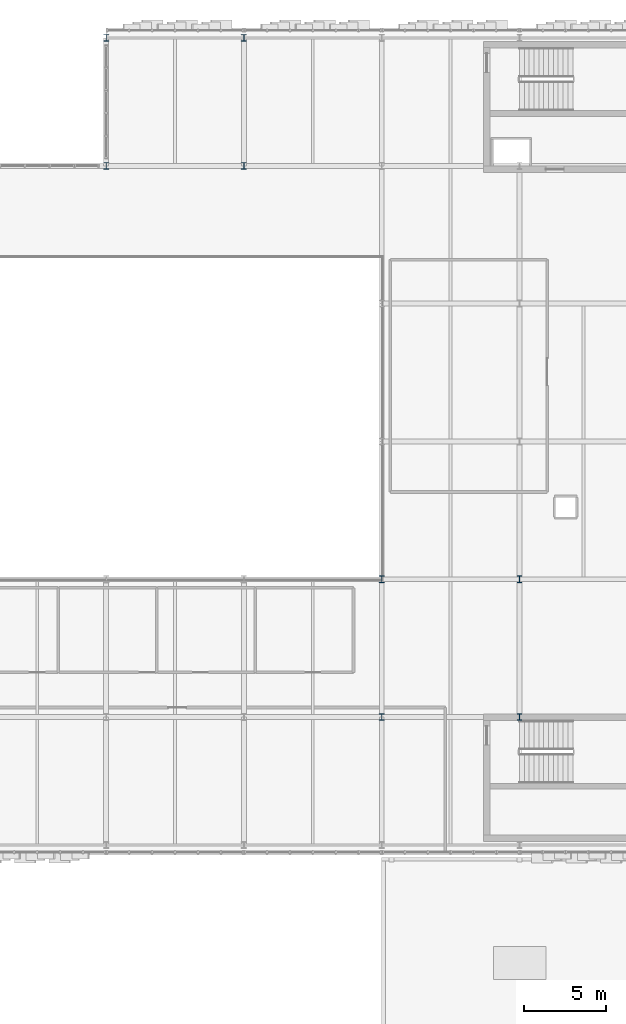
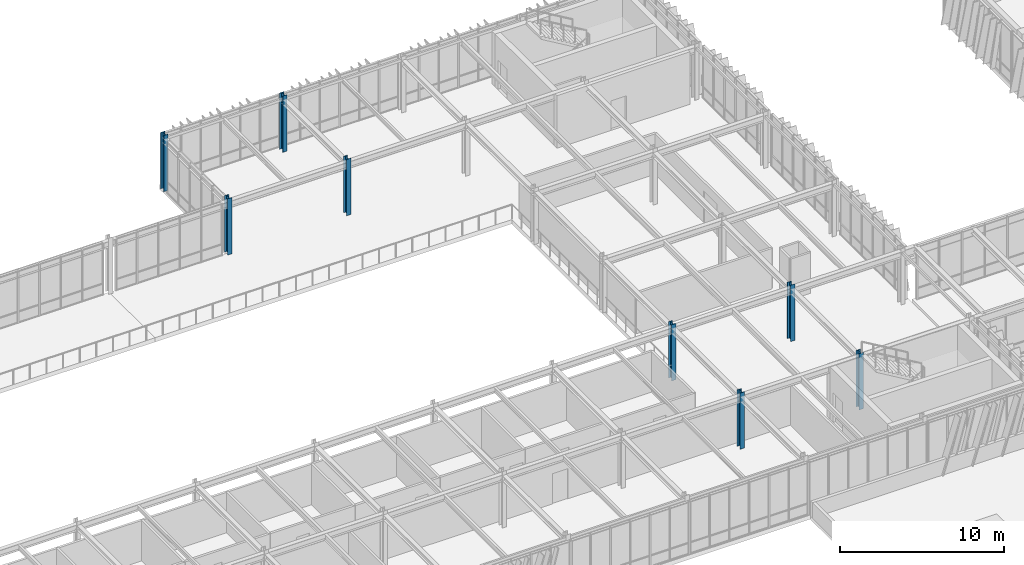
# One storey, part 10 of 127: 8 columns.
"""IFC4 building model written with IfcOpenShell, lengths in metres."""

from ifc_helpers import new_model, si_unit, direction, frame, origin, origin_2d, place, context, subcontext, project, spatial, i_section, extrude, material, material_profile, profile_set, type_object, element, save


model = new_model("IFC4")

# Units and contexts
model_context = context("Model", 3, precision=1e-05, world=origin(), true_north=direction((0.0, 1.0)))
body_context = subcontext(model_context, "Body", "Model", "MODEL_VIEW")
ifc_project = project(units=[si_unit("LENGTHUNIT", "METRE"), si_unit("AREAUNIT", "SQUARE_METRE"), si_unit("VOLUMEUNIT", "CUBIC_METRE"), si_unit("PLANEANGLEUNIT", "RADIAN"), si_unit("MASSUNIT", "GRAM", prefix="KILO")], contexts=[model_context])

# Site, building, storey
site_placement = place(None, origin())
site = spatial("IfcSite", under=ifc_project, at=site_placement, CompositionType="ELEMENT")
building_placement = place(site_placement, origin())
building = spatial("IfcBuilding", under=site, at=building_placement, Name="Zayran Congress Hotel", CompositionType="ELEMENT")
storey_placement = place(building_placement, frame((0.0, 0.0, 10.800048828125)))
storey = spatial("IfcBuildingStorey", under=building, at=storey_placement, Name="L02", CompositionType="ELEMENT", Elevation=10.800048828125)

# Columns
ifc_material = material(Name="Steel S355", Category="steel")
ifc_material_profile = material_profile(ifc_material, i_section(OverallWidth=0.300048828125, OverallDepth=0.39990234375, WebThickness=0.013427734375, FlangeThickness=0.02392578125, at=origin_2d()), Name="HEB 400")
ifc_profile_set = profile_set([ifc_material_profile], Name="Steel S355")
column_type = type_object("IfcColumnType", Name="TP-CL-07", PredefinedType="COLUMN", material=ifc_profile_set)
for number, where, z_axis, x_axis, name in (
    (1, (58.800048828125, 109.60009765625, 0.0), (0.0, 0.0, 1.0), (1.0, 0.0, 0.0), "COL-V1-L02-0426"),
    (2, (58.800048828125, 117.39990234375, 0.0), (0.0, 0.0, 1.0), (1.0, 0.0, 0.0), "COL-V1-L02-0427"),
    (3, (67.199951171875, 109.60009765625, 0.0), (0.0, 0.0, 1.0), (1.0, 0.0, 0.0), "COL-V1-L02-0431"),
    (4, (67.199951171875, 117.39990234375, 0.0), (0.0, 0.0, 1.0), (1.0, 0.0, 0.0), "COL-V1-L02-0432"),
    (5, (75.60009765625, 76.0, 0.0), (0.0, 0.0, 1.0), (1.0, 0.0, 0.0), "COL-V1-L02-0434"),
    (6, (75.60009765625, 84.39990234375, 0.0), (0.0, 0.0, 1.0), (1.0, 0.0, 0.0), "COL-V1-L02-0435"),
    (7, (84.0, 76.0, 0.0), (0.0, 0.0, 1.0), (1.0, 0.0, 0.0), "COL-V1-L02-0441"),
    (8, (84.0, 84.39990234375, 0.0), (0.0, 0.0, 1.0), (1.0, 0.0, 0.0), "COL-V1-L02-0442"),
):
    element("IfcColumn", number, at=place(storey_placement, frame(where, z_axis=z_axis, x_axis=x_axis)), inside=storey, type_object=column_type, Name=name, PredefinedType="COLUMN", context=body_context, shape_type="SweptSolid", body=[
        extrude(i_section(OverallWidth=0.300048828125, OverallDepth=0.39990234375, WebThickness=0.013427734375, FlangeThickness=0.02392578125, at=origin_2d()), origin(), (0.0, 0.0, 1.0), 4.199951171875),
    ])

save(model, "model.ifc")
